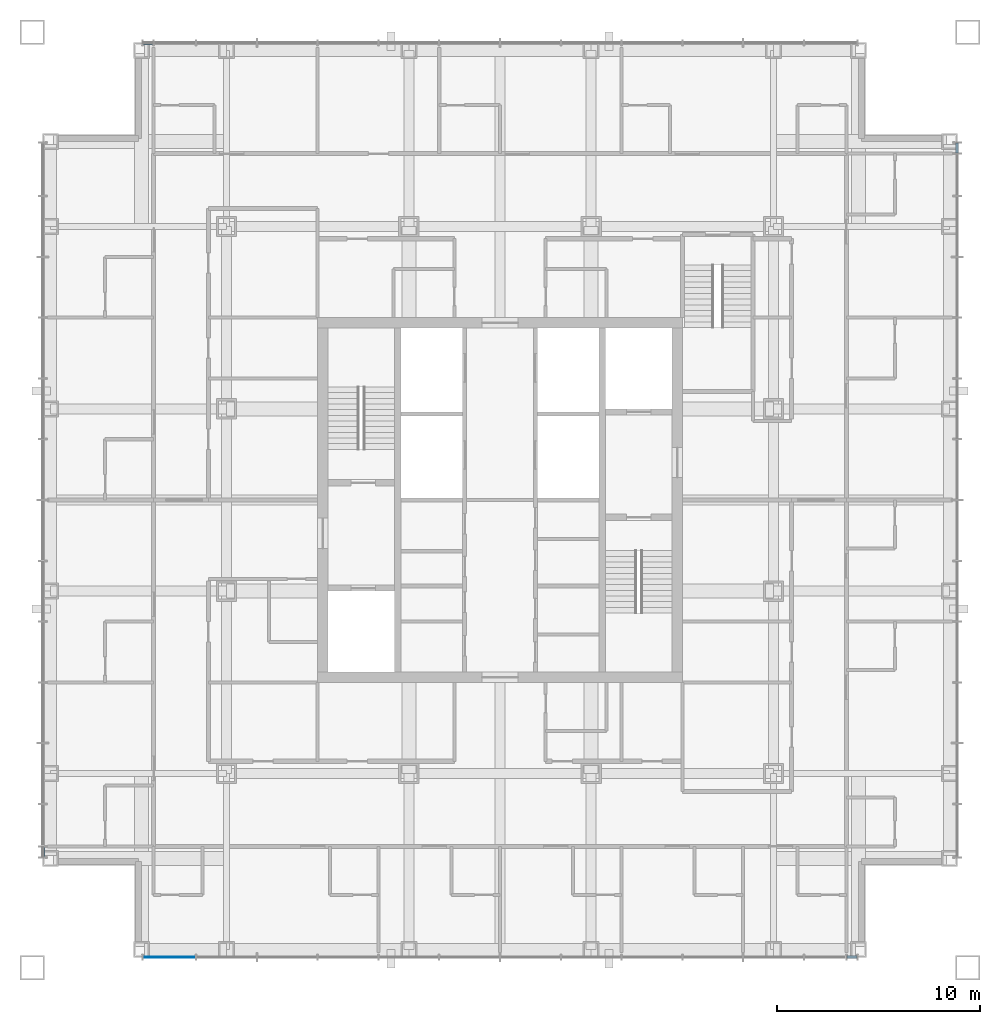
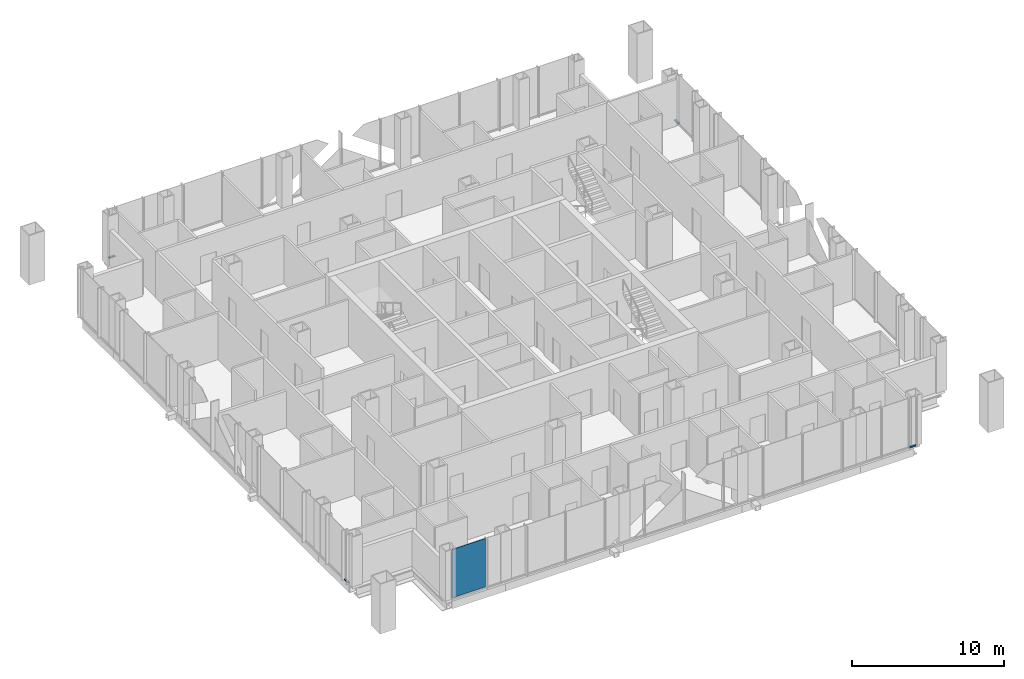
# One storey, part 6 of 17: 4 members, 1 plate, 4 elements without a shape of their own.
"""IFC4 building model written with IfcOpenShell, lengths in metres."""

import ifcopenshell
import ifcopenshell.guid

model = None  # the IFC model being written
_history = None  # IfcOwnerHistory: only IFC2X3 demands one
_inside = {}  # id of a spatial element -> (the spatial element, [elements in it])
_under = {}  # id of a project, library or spatial element -> (it, [spatial elements below it])
_declared = {}  # id of a project -> (the project, [libraries it declares])
_typed = {}  # id of a type object -> (the type object, [elements of that type])
_made_of = {}  # id of a material, layer set ... -> (it, [elements and type objects made of it])


def new_model(schema):
    """Start an empty IFC model of exactly this schema.

    Asked for "IFC4X3", IfcOpenShell would pick the latest addendum, in which some entities
    have other attributes; the version numbers below select the first issue.
    IFC2X3 requires an IfcOwnerHistory on every rooted entity: one is made here for all.
    """
    global model, _history
    if schema == "IFC4X3":
        model = ifcopenshell.file(schema_version=(4, 3, 0, 0))
    else:
        model = ifcopenshell.file(schema=schema)
    _inside.clear()
    _under.clear()
    _declared.clear()
    _typed.clear()
    _made_of.clear()
    _history = None
    if model.schema == "IFC2X3":
        org = make("IfcOrganization", Name="unknown")
        user = make(
            "IfcPersonAndOrganization",
            ThePerson=make("IfcPerson", FamilyName="unknown"),
            TheOrganization=org,
        )
        app = make(
            "IfcApplication",
            ApplicationDeveloper=org,
            Version="unknown",
            ApplicationFullName="unknown",
            ApplicationIdentifier="unknown",
        )
        _history = make(
            "IfcOwnerHistory",
            OwningUser=user,
            OwningApplication=app,
            ChangeAction="ADDED",
            CreationDate=0,
        )
    return model


def make(cls, **values):
    """One entity of the class cls with the attributes given. An attribute that is None is left unset."""
    return model.create_entity(
        cls, **{name: value for name, value in values.items() if value is not None}
    )


def rooted(cls, **values):
    """An entity with a GlobalId (a new one), such as an element, a storey or a relation."""
    return make(cls, GlobalId=ifcopenshell.guid.new(), OwnerHistory=_history, **values)


def si_unit(unit_type, name, prefix=None):
    """IfcSIUnit, for example si_unit("LENGTHUNIT", "METRE", prefix="MILLI")."""
    return make("IfcSIUnit", UnitType=unit_type, Prefix=prefix, Name=name)


def assignment(units):
    """IfcUnitAssignment: the units of a project."""
    return None if units is None else make("IfcUnitAssignment", Units=units)


def point(xyz):
    """IfcCartesianPoint."""
    return None if xyz is None else make("IfcCartesianPoint", Coordinates=xyz)


def direction(xyz):
    """IfcDirection."""
    return None if xyz is None else make("IfcDirection", DirectionRatios=xyz)


def frame(location, z_axis=None, x_axis=None):
    """IfcAxis2Placement3D, a coordinate frame: its origin and axes. An axis left out is left unset."""
    return make(
        "IfcAxis2Placement3D",
        Location=point(location),
        Axis=direction(z_axis),
        RefDirection=direction(x_axis),
    )


def frame_2d(location, x_axis=None):
    """IfcAxis2Placement2D, a coordinate frame in the plane: its origin and x axis."""
    return make(
        "IfcAxis2Placement2D", Location=point(location), RefDirection=direction(x_axis)
    )


def origin():
    """The frame at (0, 0, 0) with its axes left unset."""
    return frame((0.0, 0.0, 0.0))


def origin_2d():
    """The frame at (0, 0) in the plane with its x axis left unset."""
    return frame_2d((0.0, 0.0))


def place(relative_to, where):
    """IfcLocalPlacement: puts the frame where relative to a parent placement (None: the world)."""
    return make(
        "IfcLocalPlacement", PlacementRelTo=relative_to, RelativePlacement=where
    )


def context(
    kind, dimensions, precision=None, world=None, true_north=None, identifier=None
):
    """IfcGeometricRepresentationContext, for example the 3D "Model" context."""
    return make(
        "IfcGeometricRepresentationContext",
        ContextIdentifier=identifier,
        ContextType=kind,
        CoordinateSpaceDimension=dimensions,
        Precision=precision,
        WorldCoordinateSystem=world,
        TrueNorth=true_north,
    )


def subcontext(parent, identifier, kind, view, scale=None):
    """IfcGeometricRepresentationSubContext, for example "Body" below "Model"."""
    return make(
        "IfcGeometricRepresentationSubContext",
        ContextIdentifier=identifier,
        ContextType=kind,
        ParentContext=parent,
        TargetScale=scale,
        TargetView=view,
    )


def project(units=None, contexts=None):
    """IfcProject with its units and contexts."""
    return rooted(
        "IfcProject",
        Name="project",
        RepresentationContexts=contexts,
        UnitsInContext=assignment(units),
    )


def spatial(cls, under=None, at=None, **own):
    """A site, building, storey or space (cls), placed at a placement, below another one or the project."""
    s = rooted(cls, ObjectPlacement=at, **own)
    if under is not None:
        _under.setdefault(under.id(), (under, []))[1].append(s)
    return s


def profile(cls, at=None, kind="AREA", **sizes):
    """A parametric profile (cls). Its sizes go by their IFC names, for example OverallWidth=200.0."""
    return make(cls, ProfileType=kind, Position=at, **sizes)


def rectangle(**sizes):
    """IfcRectangleProfileDef."""
    return profile("IfcRectangleProfileDef", **sizes)


def extrude(swept, where, along, depth):
    """IfcExtrudedAreaSolid: the profile swept, set in the frame where, extruded along a direction by depth."""
    return make(
        "IfcExtrudedAreaSolid",
        SweptArea=swept,
        Position=where,
        ExtrudedDirection=direction(along),
        Depth=depth,
    )


def shape(context_of_items, identifier, shape_type, items):
    """IfcShapeRepresentation: the items that make up one representation, for example the "Body"."""
    return make(
        "IfcShapeRepresentation",
        ContextOfItems=context_of_items,
        RepresentationIdentifier=identifier,
        RepresentationType=shape_type,
        Items=items,
    )


def material(Name=None, Category=None):
    """IfcMaterial."""
    return make("IfcMaterial", Name=Name, Category=Category)


def layer(
    of_material, thickness, ventilated=None, Name=None, Category=None, Priority=None
):
    """IfcMaterialLayer: one layer of a wall or slab, of a material (None: an air gap)."""
    return make(
        "IfcMaterialLayer",
        Material=of_material,
        LayerThickness=thickness,
        IsVentilated=ventilated,
        Name=Name,
        Category=Category,
        Priority=Priority,
    )


def layer_set(layers, Name=None):
    """IfcMaterialLayerSet."""
    return make("IfcMaterialLayerSet", MaterialLayers=layers, LayerSetName=Name)


def material_profile(
    of_material, cross_section, Name=None, Category=None, Priority=None
):
    """IfcMaterialProfile: a cross section and its material."""
    return make(
        "IfcMaterialProfile",
        Name=Name,
        Material=of_material,
        Profile=cross_section,
        Priority=Priority,
        Category=Category,
    )


def profile_set(profiles, Name=None, composite=None):
    """IfcMaterialProfileSet."""
    return make(
        "IfcMaterialProfileSet",
        Name=Name,
        MaterialProfiles=profiles,
        CompositeProfile=composite,
    )


def made_of(thing, what):
    """Note that an element or type object is made of a material, layer set ...; save() writes the relation."""
    if what is not None:
        _made_of.setdefault(what.id(), (what, []))[1].append(thing)
    return thing


def type_object(cls, material=None, **own):
    """A type object (cls), such as IfcWallType, which elements share."""
    return made_of(rooted(cls, **own), material)


def element(
    cls,
    number,
    at=None,
    inside=None,
    cuts=None,
    type_object=None,
    material=None,
    context=None,
    identifier="Body",
    shape_type=None,
    held_by="IfcProductDefinitionShape",
    body=None,
    shapes=None,
    **own,
):
    """One element of the class cls, such as IfcWall. Its Tag is "e" and its number.

    at: its placement. inside: the storey or other place that contains it. cuts: it is an
    opening in that element (IfcRelVoidsElement). A single representation is given by context,
    identifier, shape_type and body (its items); several are given by shapes. held_by: the class
    of the entity that holds the representations. save() writes the other relations.
    """
    e = rooted(cls, Tag="e%d" % number, ObjectPlacement=at, **own)
    if body is not None:
        shapes = [shape(context, identifier, shape_type, body)]
    if shapes is not None:
        e.Representation = make(held_by, Representations=shapes)
    if inside is not None:
        _inside.setdefault(inside.id(), (inside, []))[1].append(e)
    if cuts is not None:
        rooted(
            "IfcRelVoidsElement", RelatingBuildingElement=cuts, RelatedOpeningElement=e
        )
    if type_object is not None:
        _typed.setdefault(type_object.id(), (type_object, []))[1].append(e)
    return made_of(e, material)


def aggregate(whole, parts):
    """IfcRelAggregates: a whole, such as a stair, and the parts it consists of."""
    return rooted("IfcRelAggregates", RelatingObject=whole, RelatedObjects=parts)


def save(model, path):
    """Write the relations noted so far, then the file.

    IfcRelAggregates (storeys below a building ...), IfcRelContainedInSpatialStructure (elements
    in a storey), IfcRelDefinesByType, IfcRelAssociatesMaterial and IfcRelDeclares: one each for
    every whole, place, type object, material and project.
    """
    for whole, parts in _under.values():
        aggregate(whole, parts)
    for where, things in _inside.values():
        rooted(
            "IfcRelContainedInSpatialStructure",
            RelatedElements=things,
            RelatingStructure=where,
        )
    for kind, things in _typed.values():
        rooted("IfcRelDefinesByType", RelatedObjects=things, RelatingType=kind)
    for what, things in _made_of.values():
        rooted("IfcRelAssociatesMaterial", RelatedObjects=things, RelatingMaterial=what)
    for by, libraries in _declared.values():
        rooted("IfcRelDeclares", RelatingContext=by, RelatedDefinitions=libraries)
    model.write(path)


model = new_model("IFC4")

# Units and contexts
model_context = context("Model", 3, precision=1e-05, world=origin(), true_north=direction((0.0, 1.0)))
body_context = subcontext(model_context, "Body", "Model", "MODEL_VIEW")
ifc_project = project(units=[si_unit("LENGTHUNIT", "METRE"), si_unit("AREAUNIT", "SQUARE_METRE"), si_unit("VOLUMEUNIT", "CUBIC_METRE"), si_unit("PLANEANGLEUNIT", "RADIAN"), si_unit("MASSUNIT", "GRAM", prefix="KILO")], contexts=[model_context])

# Site, building, storey
site_placement = place(None, origin())
site = spatial("IfcSite", under=ifc_project, at=site_placement, CompositionType="ELEMENT")
building_placement = place(site_placement, origin())
building = spatial("IfcBuilding", under=site, at=building_placement, Name="Malebo Sky Hospital", CompositionType="ELEMENT")
storey_placement = place(building_placement, frame((0.0, 0.0, 189.0)))
storey = spatial("IfcBuildingStorey", under=building, at=storey_placement, Name="L45", CompositionType="ELEMENT", Elevation=189.0)

# Curtain wall, member
ifc_material_1 = material(Name="Anodised aluminium, natural silver", Category="aluminium")
ifc_layer_1 = layer(ifc_material_1, 0.25)
ifc_layer_set_1 = layer_set([ifc_layer_1], Name="WARD CURTAIN WALL NORTH AND SOUTH")
curtain_wall_type_1 = type_object("IfcCurtainWallType", Name="WARD CURTAIN WALL NORTH AND SOUTH", PredefinedType="NOTDEFINED", material=ifc_layer_set_1)
curtain_wall_1_placement = place(storey_placement, origin())
curtain_wall_1 = element("IfcCurtainWall", 1, at=curtain_wall_1_placement, inside=storey, type_object=curtain_wall_type_1, Name="NS curtain wall N", PredefinedType="NOTDEFINED")
ifc_material_profile = material_profile(ifc_material_1, rectangle(XDim=0.14990234375, YDim=0.10009765625, at=origin_2d()), Name="ALUMINIUM TRANSOM 150x100")
ifc_profile_set = profile_set([ifc_material_profile], Name="Anodised aluminium, natural silver")
member_type = type_object("IfcMemberType", Name="ALUMINIUM TRANSOM 150x100", PredefinedType="USERDEFINED", material=ifc_profile_set)
member_1_placement = place(storey_placement, frame((42.375, 84.574951171875, 0.050048828125), z_axis=(1.0, 0.0, 0.0), x_axis=(0.0, 1.0, 0.0)))
member_1 = element("IfcMember", 2, at=member_1_placement, type_object=member_type, Name="Transom 1", ObjectType="TRANSOM", PredefinedType="USERDEFINED", context=body_context, shape_type="SweptSolid", body=[
    extrude(rectangle(XDim=0.14990234375, YDim=0.10009765625, at=origin_2d()), origin(), (0.0, 0.0, 1.0), 0.487548828125),
])
aggregate(curtain_wall_1, [member_1])

ifc_layer_2 = layer(ifc_material_1, 0.25)
ifc_layer_set_2 = layer_set([ifc_layer_2], Name="WARD CURTAIN WALL EAST AND WEST")
curtain_wall_type_2 = type_object("IfcCurtainWallType", Name="WARD CURTAIN WALL EAST AND WEST", PredefinedType="NOTDEFINED", material=ifc_layer_set_2)
curtain_wall_2_placement = place(storey_placement, origin())
curtain_wall_2 = element("IfcCurtainWall", 3, at=curtain_wall_2_placement, inside=storey, type_object=curtain_wall_type_2, Name="EW curtain wall W", PredefinedType="NOTDEFINED")
member_2_placement = place(storey_placement, frame((37.425048828125, 44.375, 0.050048828125), z_axis=(0.0, 1.0, 0.0), x_axis=(-1.0, 0.0, 0.0)))
member_2 = element("IfcMember", 4, at=member_2_placement, type_object=member_type, Name="Transom 1", ObjectType="TRANSOM", PredefinedType="USERDEFINED", context=body_context, shape_type="SweptSolid", body=[
    extrude(rectangle(XDim=0.14990234375, YDim=0.10009765625, at=origin_2d()), origin(), (0.0, 0.0, 1.0), 0.487548828125),
])
aggregate(curtain_wall_2, [member_2])

curtain_wall_3_placement = place(storey_placement, origin())
curtain_wall_3 = element("IfcCurtainWall", 5, at=curtain_wall_3_placement, inside=storey, type_object=curtain_wall_type_1, Name="NS curtain wall S", PredefinedType="NOTDEFINED")
member_3_placement = place(storey_placement, frame((77.625, 39.425048828125, 0.050048828125), z_axis=(-1.0, 0.0, 0.0), x_axis=(0.0, -1.0, 0.0)))
member_3 = element("IfcMember", 6, at=member_3_placement, type_object=member_type, Name="Transom 1", ObjectType="TRANSOM", PredefinedType="USERDEFINED", context=body_context, shape_type="SweptSolid", body=[
    extrude(rectangle(XDim=0.14990234375, YDim=0.10009765625, at=origin_2d()), origin(), (0.0, 0.0, 1.0), 0.487548828125),
])

curtain_wall_4_placement = place(storey_placement, origin())
curtain_wall_4 = element("IfcCurtainWall", 7, at=curtain_wall_4_placement, inside=storey, type_object=curtain_wall_type_2, Name="EW curtain wall E", PredefinedType="NOTDEFINED")
member_4_placement = place(storey_placement, frame((82.574951171875, 79.625, 0.050048828125), z_axis=(0.0, -1.0, 0.0), x_axis=(1.0, 0.0, 0.0)))
member_4 = element("IfcMember", 8, at=member_4_placement, type_object=member_type, Name="Transom 1", ObjectType="TRANSOM", PredefinedType="USERDEFINED", context=body_context, shape_type="SweptSolid", body=[
    extrude(rectangle(XDim=0.14990234375, YDim=0.10009765625, at=origin_2d()), origin(), (0.0, 0.0, 1.0), 0.487548828125),
])
aggregate(curtain_wall_4, [member_4])

# Plate
ifc_material_2 = material(Name="Clear low-iron double glazing", Category="glass")
ifc_layer_3 = layer(ifc_material_2, 0.031982421875)
ifc_layer_set_3 = layer_set([ifc_layer_3], Name="VISION PANEL CLEAR 32")
plate_type = type_object("IfcPlateType", Name="VISION PANEL CLEAR 32", PredefinedType="CURTAIN_PANEL", material=ifc_layer_set_3)
plate_placement = place(storey_placement, frame((43.668701171875, 39.425048828125, 0.10009765625), z_axis=(0.0, 0.0, 1.0), x_axis=(-1.0, 0.0, 0.0)))
plate = element("IfcPlate", 9, at=plate_placement, type_object=plate_type, Name="Panel 13", PredefinedType="CURTAIN_PANEL", context=body_context, shape_type="SweptSolid", body=[
    extrude(rectangle(XDim=2.58740234375, YDim=0.031982421875, at=origin_2d()), origin(), (0.0, 0.0, 1.0), 3.889892578125),
])

aggregate(curtain_wall_3, [member_3, plate])

save(model, "model.ifc")
